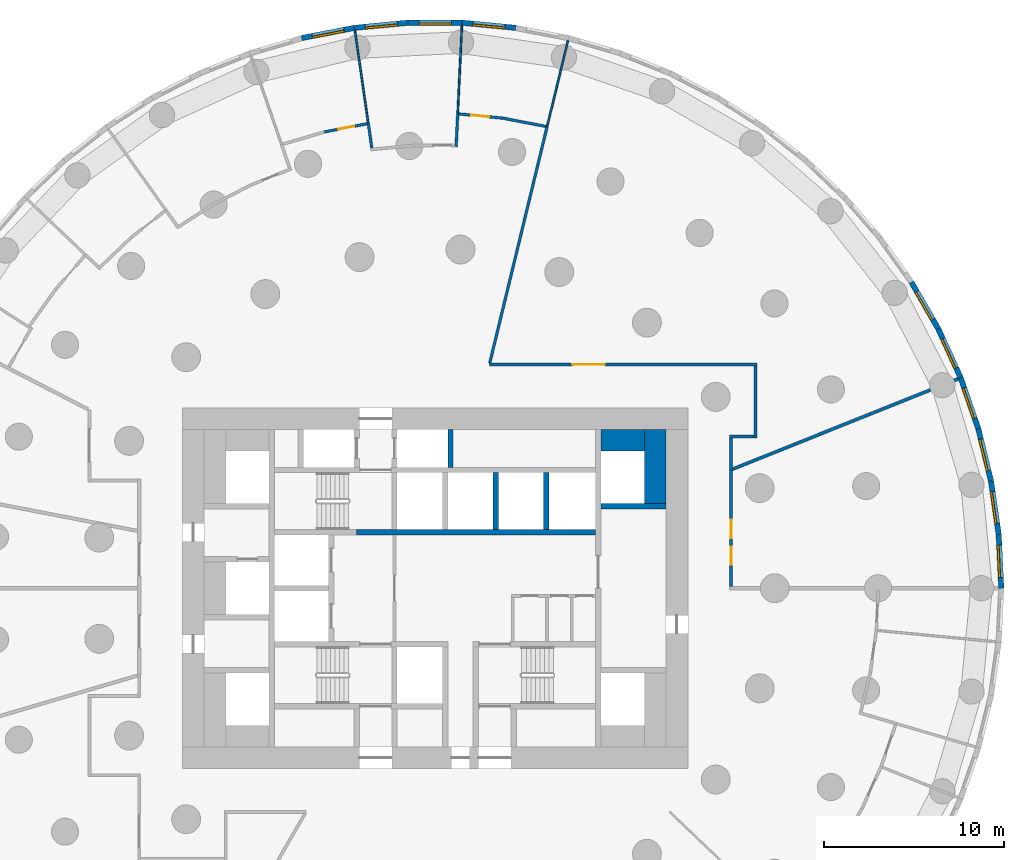
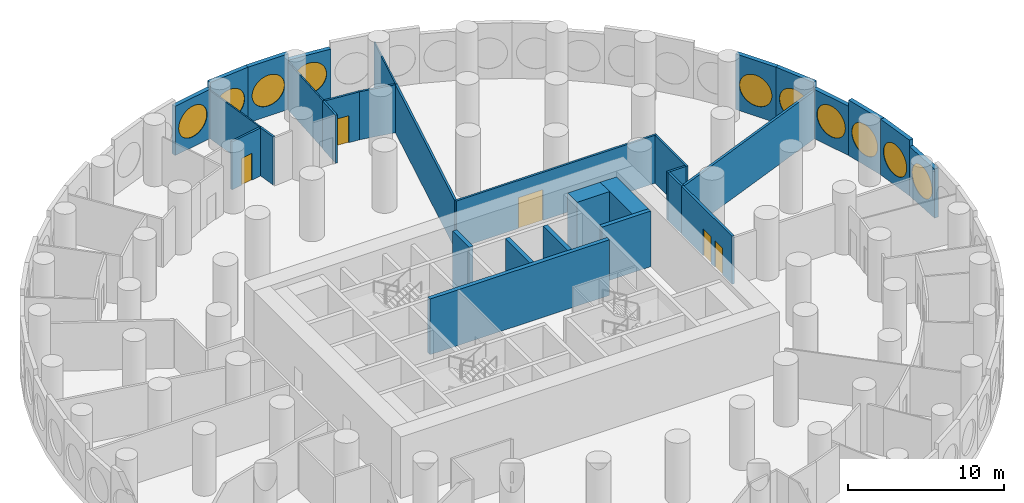
# One storey, part 8 of 11: 32 walls, 10 windows, 5 doors, 15 openings.
"""IFC4 building model written with IfcOpenShell, lengths in metres."""

from ifc_helpers import new_model, si_unit, direction, frame, frame_2d, origin, origin_2d, place, context, subcontext, project, spatial, rectangle, circle, extrude, material, layer, layer_set, type_object, element, fill, save


model = new_model("IFC4")

# Units and contexts
model_context = context("Model", 3, precision=1e-05, world=origin(), true_north=direction((0.0, 1.0)))
body_context = subcontext(model_context, "Body", "Model", "MODEL_VIEW")
ifc_project = project(units=[si_unit("LENGTHUNIT", "METRE"), si_unit("AREAUNIT", "SQUARE_METRE"), si_unit("VOLUMEUNIT", "CUBIC_METRE"), si_unit("PLANEANGLEUNIT", "RADIAN"), si_unit("MASSUNIT", "GRAM", prefix="KILO")], contexts=[model_context])

# Site, building, storey
site_placement = place(None, origin())
site = spatial("IfcSite", under=ifc_project, at=site_placement, CompositionType="ELEMENT")
building_placement = place(site_placement, origin())
building = spatial("IfcBuilding", under=site, at=building_placement, Name="Tracery Tower", CompositionType="ELEMENT")
storey_placement = place(building_placement, frame((0.0, 0.0, 23.39990234375)))
storey = spatial("IfcBuildingStorey", under=building, at=storey_placement, Name="L04", CompositionType="ELEMENT", Elevation=23.39990234375)

# Wall, openings, doors
ifc_material_1 = material(Name="Plasterboard on steel studs", Category="steel")
ifc_layer_1 = layer(ifc_material_1, 0.175048828125)
ifc_layer_set_1 = layer_set([ifc_layer_1], Name="Compartment partition 175")
wall_type_1 = type_object("IfcWallType", Name="Compartment partition 175", PredefinedType="PARTITIONING", material=ifc_layer_set_1)
wall_1_placement = place(storey_placement, frame((16.39990234375, 6.565673828125, 0.0), z_axis=(0.0, 0.0, 1.0), x_axis=(0.0, -1.0, 0.0)))
wall_1 = element("IfcWall", 1, at=wall_1_placement, inside=storey, type_object=wall_type_1, Name="Compartment partition 175", PredefinedType="PARTITIONING", context=body_context, shape_type="SweptSolid", body=[
    extrude(rectangle(XDim=6.478271484375, YDim=0.175048828125, at=frame_2d((3.2392578125, 0.0))), origin(), (0.0, 0.0, 1.0), 3.75),
])
opening_1_placement = place(wall_1_placement, frame((4.276611328125, 0.0, 0.0)))
opening_1 = element("IfcOpeningElement", 2, at=opening_1_placement, cuts=wall_1, Name="Opening SB-L04-01", PredefinedType="OPENING", context=body_context, shape_type="SweptSolid", body=[
    extrude(rectangle(XDim=1.0, YDim=2.10009765625, at=frame_2d((0.5, 1.050048828125))), frame((0.0, 0.08740234375, 0.0), z_axis=(0.0, -1.0, 0.0), x_axis=(1.0, 0.0, 0.0)), (0.0, 0.0, 1.0), 0.175048828125),
])
opening_2_placement = place(wall_1_placement, frame((2.78271484375, 0.0, 0.0)))
opening_2 = element("IfcOpeningElement", 3, at=opening_2_placement, cuts=wall_1, Name="Opening SB-L04-02", PredefinedType="OPENING", context=body_context, shape_type="SweptSolid", body=[
    extrude(rectangle(XDim=1.0, YDim=2.10009765625, at=frame_2d((0.5, 1.050048828125))), frame((0.0, 0.08740234375, 0.0), z_axis=(0.0, -1.0, 0.0), x_axis=(1.0, 0.0, 0.0)), (0.0, 0.0, 1.0), 0.175048828125),
])
ifc_material_2 = material(Name="Timber door leaf", Category="wood")
door_type_1 = type_object("IfcDoorType", Name="Public room door 1000", OperationType="NOTDEFINED", PredefinedType="DOOR", material=ifc_material_2)
door_1_placement = place(opening_1_placement, origin())
door_1 = element("IfcDoor", 4, at=door_1_placement, inside=storey, type_object=door_type_1, Name="Public room door 1000", OperationType="SINGLE_SWING_RIGHT", OverallHeight=2.10009765625, OverallWidth=1.0, PredefinedType="DOOR", context=body_context, shape_type="SweptSolid", body=[
    extrude(rectangle(XDim=1.0, YDim=2.10009765625, at=frame_2d((0.5, 1.050048828125))), frame((0.0, 0.02490234375, 0.0), z_axis=(0.0, -1.0, 0.0), x_axis=(1.0, 0.0, 0.0)), (0.0, 0.0, 1.0), 0.050048828125),
])
fill(opening_1, door_1)
door_2_placement = place(opening_2_placement, origin())
door_2 = element("IfcDoor", 5, at=door_2_placement, inside=storey, type_object=door_type_1, Name="Public room door 1000", OperationType="SINGLE_SWING_RIGHT", OverallHeight=2.10009765625, OverallWidth=1.0, PredefinedType="DOOR", context=body_context, shape_type="SweptSolid", body=[
    extrude(rectangle(XDim=1.0, YDim=2.10009765625, at=frame_2d((0.5, 1.050048828125))), frame((0.0, 0.02490234375, 0.0), z_axis=(0.0, -1.0, 0.0), x_axis=(1.0, 0.0, 0.0)), (0.0, 0.0, 1.0), 0.050048828125),
])
fill(opening_2, door_2)

# Walls
wall_2_placement = place(storey_placement, frame((28.987548828125, 11.60498046875, 0.0), z_axis=(0.0, 0.0, 1.0), x_axis=(-0.928364104115, -0.371672019651, 0.0)))
element("IfcWall", 6, at=wall_2_placement, inside=storey, type_object=wall_type_1, Name="Compartment partition 175", PredefinedType="PARTITIONING", context=body_context, shape_type="SweptSolid", body=[
    extrude(rectangle(XDim=13.464599609375, YDim=0.175048828125, at=frame_2d((6.732421875, 0.0))), origin(), (0.0, 0.0, 1.0), 3.75),
])
ifc_material_3 = material(Name="Concrete C60/75", Category="concrete")
ifc_layer_2 = layer(ifc_material_3, 1.199951171875)
ifc_layer_set_2 = layer_set([ifc_layer_2], Name="Core strip wall 1200 C60")
wall_type_2 = type_object("IfcWallType", Name="Core strip wall 1200 C60", PredefinedType="SOLIDWALL", material=ifc_layer_set_2)
wall_3_placement = place(storey_placement, frame((12.199951171875, 4.699951171875, 0.0), z_axis=(0.0, 0.0, 1.0), x_axis=(0.0, 1.0, 0.0)))
element("IfcWall", 7, at=wall_3_placement, inside=storey, type_object=wall_type_2, Name="L04 wing strip +1 4.55", PredefinedType="SOLIDWALL", context=body_context, shape_type="SweptSolid", body=[
    extrude(rectangle(XDim=4.10009765625, YDim=1.199951171875, at=frame_2d((2.050048828125, 0.0))), origin(), (0.0, 0.0, 1.0), 4.35009765625),
])
wall_4_placement = place(storey_placement, frame((9.199951171875, 8.199951171875, 0.0), z_axis=(0.0, 0.0, 1.0), x_axis=(1.0, 0.0, 0.0)))
element("IfcWall", 8, at=wall_4_placement, inside=storey, type_object=wall_type_2, Name="L04 wing corner +1 +8.2", PredefinedType="SOLIDWALL", context=body_context, shape_type="SweptSolid", body=[
    extrude(rectangle(XDim=2.400146484375, YDim=1.199951171875, at=frame_2d((1.2001953125, 0.0))), origin(), (0.0, 0.0, 1.0), 4.35009765625),
])

# Wall, opening, door
ifc_material_4 = material(Name="Plasterboard on steel studs", Category="steel")
ifc_layer_3 = layer(ifc_material_4, 0.14990234375)
ifc_layer_set_3 = layer_set([ifc_layer_3], Name="Corridor partition 150")
wall_type_3 = type_object("IfcWallType", Name="Corridor partition 150", PredefinedType="PARTITIONING", material=ifc_layer_set_3)
wall_5_placement = place(storey_placement, frame((-6.134033203125, 25.284912109375, 0.0), z_axis=(0.0, 0.0, 1.0), x_axis=(0.981929480724, 0.189247179332, 0.0)))
wall_5 = element("IfcWall", 9, at=wall_5_placement, inside=storey, type_object=wall_type_3, Name="Corridor partition 150", PredefinedType="PARTITIONING", context=body_context, shape_type="SweptSolid", body=[
    extrude(rectangle(XDim=2.40087890625, YDim=0.14990234375, at=frame_2d((1.200439453125, 0.0))), origin(), (0.0, 0.0, 1.0), 3.75),
])
opening_3_placement = place(wall_5_placement, frame((0.7880859375, 0.0, 0.0)))
opening_3 = element("IfcOpeningElement", 10, at=opening_3_placement, cuts=wall_5, Name="Opening SB-L04-06", PredefinedType="OPENING", context=body_context, shape_type="SweptSolid", body=[
    extrude(rectangle(XDim=0.89990234375, YDim=2.10009765625, at=frame_2d((0.449951171875, 1.050048828125))), frame((0.0, 0.074951171875, 0.0), z_axis=(0.0, -1.0, 0.0), x_axis=(1.0, 0.0, 0.0)), (0.0, 0.0, 1.0), 0.14990234375),
])
ifc_material_5 = material(Name="Steel fire door", Category="steel")
door_type_2 = type_object("IfcDoorType", Name="Store door 900", OperationType="NOTDEFINED", PredefinedType="DOOR", material=ifc_material_5)
door_3_placement = place(opening_3_placement, origin())
door_3 = element("IfcDoor", 11, at=door_3_placement, inside=storey, type_object=door_type_2, Name="Store door 900", OperationType="SINGLE_SWING_RIGHT", OverallHeight=2.10009765625, OverallWidth=0.89990234375, PredefinedType="DOOR", context=body_context, shape_type="SweptSolid", body=[
    extrude(rectangle(XDim=0.89990234375, YDim=2.10009765625, at=frame_2d((0.449951171875, 1.050048828125))), frame((0.0, 0.02490234375, 0.0), z_axis=(0.0, -1.0, 0.0), x_axis=(1.0, 0.0, 0.0)), (0.0, 0.0, 1.0), 0.050048828125),
])
fill(opening_3, door_3)

# Walls
wall_6_placement = place(storey_placement, frame((-3.702880859375, 25.75341796875, 0.0), z_axis=(0.0, 0.0, 1.0), x_axis=(0.142414461885, -0.989807113051, 0.0)))
element("IfcWall", 12, at=wall_6_placement, inside=storey, type_object=wall_type_3, Name="Corridor partition 150", PredefinedType="PARTITIONING", context=body_context, shape_type="SweptSolid", body=[
    extrude(rectangle(XDim=1.37646484375, YDim=0.14990234375, at=frame_2d((0.688232421875, 0.0))), origin(), (0.0, 0.0, 1.0), 3.75),
])
wall_7_placement = place(storey_placement, frame((1.252197265625, 26.288818359375, 0.0), z_axis=(0.0, 0.0, 1.0), x_axis=(-0.047577848771, -0.998867532912, 0.0)))
element("IfcWall", 13, at=wall_7_placement, inside=storey, type_object=wall_type_3, Name="Corridor partition 150", PredefinedType="PARTITIONING", context=body_context, shape_type="SweptSolid", body=[
    extrude(rectangle(XDim=1.82666015625, YDim=0.14990234375, at=frame_2d((0.913330078125, 0.0))), origin(), (0.0, 0.0, 1.0), 3.75),
])

# Wall, opening, door
wall_8_placement = place(storey_placement, frame((1.326904296875, 26.28173828125, 0.0), z_axis=(0.0, 0.0, 1.0), x_axis=(0.995471958699, -0.095055664977, 0.0)))
wall_8 = element("IfcWall", 14, at=wall_8_placement, inside=storey, type_object=wall_type_3, Name="Corridor partition 150", PredefinedType="PARTITIONING", context=body_context, shape_type="SweptSolid", body=[
    extrude(rectangle(XDim=2.4296875, YDim=0.14990234375, at=frame_2d((1.21484375, 0.0))), origin(), (0.0, 0.0, 1.0), 3.75),
])
opening_4_placement = place(wall_8_placement, frame((0.67724609375, 0.0, 0.0)))
opening_4 = element("IfcOpeningElement", 15, at=opening_4_placement, cuts=wall_8, Name="Opening SB-L04-04", PredefinedType="OPENING", context=body_context, shape_type="SweptSolid", body=[
    extrude(rectangle(XDim=1.0, YDim=2.10009765625, at=frame_2d((0.5, 1.050048828125))), frame((0.0, 0.074951171875, 0.0), z_axis=(0.0, -1.0, 0.0), x_axis=(1.0, 0.0, 0.0)), (0.0, 0.0, 1.0), 0.14990234375),
])
door_4_placement = place(opening_4_placement, origin())
door_4 = element("IfcDoor", 16, at=door_4_placement, inside=storey, type_object=door_type_1, Name="Public room door 1000", OperationType="SINGLE_SWING_RIGHT", OverallHeight=2.10009765625, OverallWidth=1.0, PredefinedType="DOOR", context=body_context, shape_type="SweptSolid", body=[
    extrude(rectangle(XDim=1.0, YDim=2.10009765625, at=frame_2d((0.5, 1.050048828125))), frame((0.0, 0.02490234375, 0.0), z_axis=(0.0, -1.0, 0.0), x_axis=(1.0, 0.0, 0.0)), (0.0, 0.0, 1.0), 0.050048828125),
])
fill(opening_4, door_4)

# Walls
wall_9_placement = place(storey_placement, frame((6.204833984375, 25.576904296875, 0.0), z_axis=(0.0, 0.0, 1.0), x_axis=(-0.235759138487, -0.971811519082, 0.0)))
element("IfcWall", 17, at=wall_9_placement, inside=storey, type_object=wall_type_3, Name="Corridor partition 150", PredefinedType="PARTITIONING", context=body_context, shape_type="SweptSolid", body=[
    extrude(rectangle(XDim=13.48193359375, YDim=0.14990234375, at=frame_2d((6.740966796875, 0.0))), origin(), (0.0, 0.0, 1.0), 3.75),
])
wall_10_placement = place(storey_placement, frame((6.131103515625, 25.591064453125, 0.0), z_axis=(0.0, 0.0, 1.0), x_axis=(-0.981932542108, 0.189231294319, 0.0)))
element("IfcWall", 18, at=wall_10_placement, inside=storey, type_object=wall_type_3, Name="Corridor partition 150", PredefinedType="PARTITIONING", context=body_context, shape_type="SweptSolid", body=[
    extrude(rectangle(XDim=2.429443359375, YDim=0.14990234375, at=frame_2d((1.21484375, 0.0))), origin(), (0.0, 0.0, 1.0), 3.75),
])
wall_11_placement = place(storey_placement, frame((16.39990234375, 6.565673828125, 0.0), z_axis=(0.0, 0.0, 1.0), x_axis=(0.0, 1.0, 0.0)))
element("IfcWall", 19, at=wall_11_placement, inside=storey, type_object=wall_type_3, Name="Corridor partition 150", PredefinedType="PARTITIONING", context=body_context, shape_type="SweptSolid", body=[
    extrude(rectangle(XDim=1.76220703125, YDim=0.14990234375, at=frame_2d((0.881103515625, 0.0))), origin(), (0.0, 0.0, 1.0), 3.75),
])
wall_12_placement = place(storey_placement, frame((16.324951171875, 8.40283203125, 0.0), z_axis=(0.0, 0.0, 1.0), x_axis=(1.0, 0.0, 0.0)))
element("IfcWall", 20, at=wall_12_placement, inside=storey, type_object=wall_type_3, Name="Corridor partition 150", PredefinedType="PARTITIONING", context=body_context, shape_type="SweptSolid", body=[
    extrude(rectangle(XDim=1.3515625, YDim=0.14990234375, at=frame_2d((0.67578125, 0.0))), origin(), (0.0, 0.0, 1.0), 3.75),
])
wall_13_placement = place(storey_placement, frame((17.751708984375, 8.327880859375, 0.0), z_axis=(0.0, 0.0, 1.0), x_axis=(0.0, 1.0, 0.0)))
element("IfcWall", 21, at=wall_13_placement, inside=storey, type_object=wall_type_3, Name="Corridor partition 150", PredefinedType="PARTITIONING", context=body_context, shape_type="SweptSolid", body=[
    extrude(rectangle(XDim=3.9970703125, YDim=0.14990234375, at=frame_2d((1.99853515625, 0.0))), origin(), (0.0, 0.0, 1.0), 3.75),
])

# Wall, opening, door
wall_14_placement = place(storey_placement, frame((3.00830078125, 12.39990234375, 0.0), z_axis=(0.0, 0.0, 1.0), x_axis=(1.0, 0.0, 0.0)))
wall_14 = element("IfcWall", 22, at=wall_14_placement, inside=storey, type_object=wall_type_3, Name="Corridor partition 150", PredefinedType="PARTITIONING", context=body_context, shape_type="SweptSolid", body=[
    extrude(rectangle(XDim=14.818359375, YDim=0.14990234375, at=frame_2d((7.4091796875, 0.0))), origin(), (0.0, 0.0, 1.0), 3.75),
])
opening_5_placement = place(wall_14_placement, frame((4.595947265625, 0.0, 0.0)))
opening_5 = element("IfcOpeningElement", 23, at=opening_5_placement, cuts=wall_14, Name="Opening SB-L04-03", PredefinedType="OPENING", context=body_context, shape_type="SweptSolid", body=[
    extrude(rectangle(XDim=1.800048828125, YDim=2.39990234375, at=frame_2d((0.89990234375, 1.199951171875))), frame((0.0, 0.074951171875, 0.0), z_axis=(0.0, -1.0, 0.0), x_axis=(1.0, 0.0, 0.0)), (0.0, 0.0, 1.0), 0.14990234375),
])
ifc_material_6 = material(Name="Glazed aluminium door", Category="aluminium")
door_type_3 = type_object("IfcDoorType", Name="Hall double door 1800", OperationType="DOUBLE_DOOR_SINGLE_SWING", PredefinedType="DOOR", material=ifc_material_6)
door_5_placement = place(opening_5_placement, origin())
door_5 = element("IfcDoor", 24, at=door_5_placement, inside=storey, type_object=door_type_3, Name="Hall double door 1800", OperationType="DOUBLE_DOOR_SINGLE_SWING", OverallHeight=2.39990234375, OverallWidth=1.800048828125, PredefinedType="DOOR", context=body_context, shape_type="SweptSolid", body=[
    extrude(rectangle(XDim=1.800048828125, YDim=2.39990234375, at=frame_2d((0.89990234375, 1.199951171875))), frame((0.0, 0.02490234375, 0.0), z_axis=(0.0, -1.0, 0.0), x_axis=(1.0, 0.0, 0.0)), (0.0, 0.0, 1.0), 0.050048828125),
])
fill(opening_5, door_5)

# Wall, opening, window
ifc_material_7 = material(Name="Precast concrete C50/60", Category="concrete")
ifc_layer_4 = layer(ifc_material_7, 0.300048828125)
ifc_layer_set_4 = layer_set([ifc_layer_4], Name="Facade panel 3000 x 3850")
wall_type_4 = type_object("IfcWallType", Name="Facade panel 3000 x 3850", PredefinedType="SOLIDWALL", material=ifc_layer_set_4)
wall_15_placement = place(storey_placement, frame((31.37451171875, 0.0, 0.0), z_axis=(0.0, 0.0, 1.0), x_axis=(-0.047588458579, 0.998867027492, 0.0)))
wall_15 = element("IfcWall", 25, at=wall_15_placement, inside=storey, type_object=wall_type_4, Name="Facade panel 1 at L04", PredefinedType="SOLIDWALL", context=body_context, shape_type="SweptSolid", body=[
    extrude(rectangle(XDim=2.98583984375, YDim=0.300048828125, at=frame_2d((1.492919921875, 0.0))), origin(), (0.0, 0.0, 1.0), 3.85009765625),
])
opening_6_placement = place(wall_15_placement, frame((1.492919921875, 0.0, 2.0)))
opening_6 = element("IfcOpeningElement", 26, at=opening_6_placement, cuts=wall_15, Name="Opening WN2", PredefinedType="OPENING", context=body_context, shape_type="SweptSolid", body=[
    extrude(circle(Radius=1.199951171875, at=origin_2d()), frame((0.0, 0.159912109375, 0.0), z_axis=(0.0, -1.0, 0.0), x_axis=(1.0, 0.0, 0.0)), (0.0, 0.0, 1.0), 0.320068359375),
])
ifc_material_8 = material(Name="Aluminium frame with tinted double glazing", Category="aluminium")
window_type = type_object("IfcWindowType", Name="Round window 2400", PartitioningType="SINGLE_PANEL", PredefinedType="WINDOW", material=ifc_material_8)
window_1_placement = place(opening_6_placement, origin())
window_1 = element("IfcWindow", 27, at=window_1_placement, inside=storey, type_object=window_type, Name="Round window 1 at L04", OverallHeight=2.39990234375, OverallWidth=2.39990234375, PartitioningType="SINGLE_PANEL", PredefinedType="WINDOW", context=body_context, shape_type="SweptSolid", body=[
    extrude(circle(Radius=1.199951171875, at=origin_2d()), frame((0.0, 0.1201171875, 0.0), z_axis=(0.0, -1.0, 0.0), x_axis=(1.0, 0.0, 0.0)), (0.0, 0.0, 1.0), 0.10009765625),
])
fill(opening_6, window_1)

wall_16_placement = place(storey_placement, frame((30.103515625, 8.839111328125, 0.0), z_axis=(0.0, 0.0, 1.0), x_axis=(-0.327074054052, 0.944998710669, 0.0)))
wall_16 = element("IfcWall", 28, at=wall_16_placement, inside=storey, type_object=wall_type_4, Name="Facade panel 4 at L04", PredefinedType="SOLIDWALL", context=body_context, shape_type="SweptSolid", body=[
    extrude(rectangle(XDim=2.98583984375, YDim=0.300048828125, at=frame_2d((1.492919921875, 0.0))), origin(), (0.0, 0.0, 1.0), 3.85009765625),
])
opening_7_placement = place(wall_16_placement, frame((1.492919921875, 0.0, 2.0)))
opening_7 = element("IfcOpeningElement", 29, at=opening_7_placement, cuts=wall_16, Name="Opening WN2", PredefinedType="OPENING", context=body_context, shape_type="SweptSolid", body=[
    extrude(circle(Radius=1.199951171875, at=origin_2d()), frame((0.0, 0.159912109375, 0.0), z_axis=(0.0, -1.0, 0.0), x_axis=(1.0, 0.0, 0.0)), (0.0, 0.0, 1.0), 0.320068359375),
])
window_2_placement = place(opening_7_placement, origin())
window_2 = element("IfcWindow", 30, at=window_2_placement, inside=storey, type_object=window_type, Name="Round window 4 at L04", OverallHeight=2.39990234375, OverallWidth=2.39990234375, PartitioningType="SINGLE_PANEL", PredefinedType="WINDOW", context=body_context, shape_type="SweptSolid", body=[
    extrude(circle(Radius=1.199951171875, at=origin_2d()), frame((0.0, 0.1201171875, 0.0), z_axis=(0.0, -1.0, 0.0), x_axis=(1.0, 0.0, 0.0)), (0.0, 0.0, 1.0), 0.10009765625),
])
fill(opening_7, window_2)

wall_17_placement = place(storey_placement, frame((4.465087890625, 31.05517578125, 0.0), z_axis=(0.0, 0.0, 1.0), x_axis=(-0.99547560533, 0.095017467833, 0.0)))
wall_17 = element("IfcWall", 31, at=wall_17_placement, inside=storey, type_object=wall_type_4, Name="Facade panel 16 at L04", PredefinedType="SOLIDWALL", context=body_context, shape_type="SweptSolid", body=[
    extrude(rectangle(XDim=2.985595703125, YDim=0.300048828125, at=frame_2d((1.49267578125, 0.0))), origin(), (0.0, 0.0, 1.0), 3.85009765625),
])
opening_8_placement = place(wall_17_placement, frame((1.492919921875, 0.0, 2.0)))
opening_8 = element("IfcOpeningElement", 32, at=opening_8_placement, cuts=wall_17, Name="Opening WN2", PredefinedType="OPENING", context=body_context, shape_type="SweptSolid", body=[
    extrude(circle(Radius=1.199951171875, at=origin_2d()), frame((0.0, 0.159912109375, 0.0), z_axis=(0.0, -1.0, 0.0), x_axis=(1.0, 0.0, 0.0)), (0.0, 0.0, 1.0), 0.320068359375),
])
window_3_placement = place(opening_8_placement, origin())
window_3 = element("IfcWindow", 33, at=window_3_placement, inside=storey, type_object=window_type, Name="Round window 16 at L04", OverallHeight=2.39990234375, OverallWidth=2.39990234375, PartitioningType="SINGLE_PANEL", PredefinedType="WINDOW", context=body_context, shape_type="SweptSolid", body=[
    extrude(circle(Radius=1.199951171875, at=origin_2d()), frame((0.0, 0.1201171875, 0.0), z_axis=(0.0, -1.0, 0.0), x_axis=(1.0, 0.0, 0.0)), (0.0, 0.0, 1.0), 0.10009765625),
])
fill(opening_8, window_3)

wall_18_placement = place(storey_placement, frame((-4.465087890625, 31.05517578125, 0.0), z_axis=(0.0, 0.0, 1.0), x_axis=(-0.981918853666, -0.189302310646, 0.0)))
wall_18 = element("IfcWall", 34, at=wall_18_placement, inside=storey, type_object=wall_type_4, Name="Facade panel 19 at L04", PredefinedType="SOLIDWALL", context=body_context, shape_type="SweptSolid", body=[
    extrude(rectangle(XDim=2.985595703125, YDim=0.300048828125, at=frame_2d((1.49267578125, 0.0))), origin(), (0.0, 0.0, 1.0), 3.85009765625),
])
opening_9_placement = place(wall_18_placement, frame((1.492919921875, 0.0, 2.0)))
opening_9 = element("IfcOpeningElement", 35, at=opening_9_placement, cuts=wall_18, Name="Opening WN2", PredefinedType="OPENING", context=body_context, shape_type="SweptSolid", body=[
    extrude(circle(Radius=1.199951171875, at=origin_2d()), frame((0.0, 0.159912109375, 0.0), z_axis=(0.0, -1.0, 0.0), x_axis=(1.0, 0.0, 0.0)), (0.0, 0.0, 1.0), 0.320068359375),
])
window_4_placement = place(opening_9_placement, origin())
window_4 = element("IfcWindow", 36, at=window_4_placement, inside=storey, type_object=window_type, Name="Round window 19 at L04", OverallHeight=2.39990234375, OverallWidth=2.39990234375, PartitioningType="SINGLE_PANEL", PredefinedType="WINDOW", context=body_context, shape_type="SweptSolid", body=[
    extrude(circle(Radius=1.199951171875, at=origin_2d()), frame((0.0, 0.1201171875, 0.0), z_axis=(0.0, -1.0, 0.0), x_axis=(1.0, 0.0, 0.0)), (0.0, 0.0, 1.0), 0.10009765625),
])
fill(opening_9, window_4)

ifc_material_9 = material(Name="Precast concrete C50/60", Category="concrete")
ifc_layer_5 = layer(ifc_material_9, 0.300048828125)
ifc_layer_set_5 = layer_set([ifc_layer_5], Name="Facade panel 3000 x 4350")
wall_type_5 = type_object("IfcWallType", Name="Facade panel 3000 x 4350", PredefinedType="SOLIDWALL", material=ifc_layer_set_5)
wall_19_placement = place(storey_placement, frame((31.232421875, 2.982421875, 0.0), z_axis=(0.0, 0.0, 1.0), x_axis=(-0.142360001917, 0.989814947278, 0.0)))
wall_19 = element("IfcWall", 37, at=wall_19_placement, inside=storey, type_object=wall_type_5, Name="Facade panel 2 at L04", PredefinedType="SOLIDWALL", context=body_context, shape_type="SweptSolid", body=[
    extrude(rectangle(XDim=2.98583984375, YDim=0.300048828125, at=frame_2d((1.492919921875, 0.0))), origin(), (0.0, 0.0, 1.0), 4.35009765625),
])
opening_10_placement = place(wall_19_placement, frame((1.492919921875, 0.0, 2.0)))
opening_10 = element("IfcOpeningElement", 38, at=opening_10_placement, cuts=wall_19, Name="Opening WN2", PredefinedType="OPENING", context=body_context, shape_type="SweptSolid", body=[
    extrude(circle(Radius=1.199951171875, at=origin_2d()), frame((0.0, 0.159912109375, 0.0), z_axis=(0.0, -1.0, 0.0), x_axis=(1.0, 0.0, 0.0)), (0.0, 0.0, 1.0), 0.320068359375),
])
window_5_placement = place(opening_10_placement, origin())
window_5 = element("IfcWindow", 39, at=window_5_placement, inside=storey, type_object=window_type, Name="Round window 2 at L04", OverallHeight=2.39990234375, OverallWidth=2.39990234375, PartitioningType="SINGLE_PANEL", PredefinedType="WINDOW", context=body_context, shape_type="SweptSolid", body=[
    extrude(circle(Radius=1.199951171875, at=origin_2d()), frame((0.0, 0.1201171875, 0.0), z_axis=(0.0, -1.0, 0.0), x_axis=(1.0, 0.0, 0.0)), (0.0, 0.0, 1.0), 0.10009765625),
])
fill(opening_10, window_5)

wall_20_placement = place(storey_placement, frame((30.807373046875, 5.937744140625, 0.0), z_axis=(0.0, 0.0, 1.0), x_axis=(-0.235756834479, 0.971812078026, 0.0)))
wall_20 = element("IfcWall", 40, at=wall_20_placement, inside=storey, type_object=wall_type_5, Name="Facade panel 3 at L04", PredefinedType="SOLIDWALL", context=body_context, shape_type="SweptSolid", body=[
    extrude(rectangle(XDim=2.985595703125, YDim=0.300048828125, at=frame_2d((1.49267578125, 0.0))), origin(), (0.0, 0.0, 1.0), 4.35009765625),
])
opening_11_placement = place(wall_20_placement, frame((1.492919921875, 0.0, 2.0)))
opening_11 = element("IfcOpeningElement", 41, at=opening_11_placement, cuts=wall_20, Name="Opening WN2", PredefinedType="OPENING", context=body_context, shape_type="SweptSolid", body=[
    extrude(circle(Radius=1.199951171875, at=origin_2d()), frame((0.0, 0.159912109375, 0.0), z_axis=(0.0, -1.0, 0.0), x_axis=(1.0, 0.0, 0.0)), (0.0, 0.0, 1.0), 0.320068359375),
])
window_6_placement = place(opening_11_placement, origin())
window_6 = element("IfcWindow", 42, at=window_6_placement, inside=storey, type_object=window_type, Name="Round window 3 at L04", OverallHeight=2.39990234375, OverallWidth=2.39990234375, PartitioningType="SINGLE_PANEL", PredefinedType="WINDOW", context=body_context, shape_type="SweptSolid", body=[
    extrude(circle(Radius=1.199951171875, at=origin_2d()), frame((0.0, 0.1201171875, 0.0), z_axis=(0.0, -1.0, 0.0), x_axis=(1.0, 0.0, 0.0)), (0.0, 0.0, 1.0), 0.10009765625),
])
fill(opening_11, window_6)

wall_21_placement = place(storey_placement, frame((29.126953125, 11.66064453125, 0.0), z_axis=(0.0, 0.0, 1.0), x_axis=(-0.415373250944, 0.909651066289, 0.0)))
wall_21 = element("IfcWall", 43, at=wall_21_placement, inside=storey, type_object=wall_type_5, Name="Facade panel 5 at L04", PredefinedType="SOLIDWALL", context=body_context, shape_type="SweptSolid", body=[
    extrude(rectangle(XDim=2.98583984375, YDim=0.300048828125, at=frame_2d((1.492919921875, 0.0))), origin(), (0.0, 0.0, 1.0), 4.35009765625),
])
opening_12_placement = place(wall_21_placement, frame((1.492919921875, 0.0, 2.0)))
opening_12 = element("IfcOpeningElement", 44, at=opening_12_placement, cuts=wall_21, Name="Opening WN2", PredefinedType="OPENING", context=body_context, shape_type="SweptSolid", body=[
    extrude(circle(Radius=1.199951171875, at=origin_2d()), frame((0.0, 0.159912109375, 0.0), z_axis=(0.0, -1.0, 0.0), x_axis=(1.0, 0.0, 0.0)), (0.0, 0.0, 1.0), 0.320068359375),
])
window_7_placement = place(opening_12_placement, origin())
window_7 = element("IfcWindow", 45, at=window_7_placement, inside=storey, type_object=window_type, Name="Round window 5 at L04", OverallHeight=2.39990234375, OverallWidth=2.39990234375, PartitioningType="SINGLE_PANEL", PredefinedType="WINDOW", context=body_context, shape_type="SweptSolid", body=[
    extrude(circle(Radius=1.199951171875, at=origin_2d()), frame((0.0, 0.1201171875, 0.0), z_axis=(0.0, -1.0, 0.0), x_axis=(1.0, 0.0, 0.0)), (0.0, 0.0, 1.0), 0.10009765625),
])
fill(opening_12, window_7)

wall_22_placement = place(storey_placement, frame((27.88671875, 14.376708984375, 0.0), z_axis=(0.0, 0.0, 1.0), x_axis=(-0.500017373705, 0.866015372839, 0.0)))
wall_22 = element("IfcWall", 46, at=wall_22_placement, inside=storey, type_object=wall_type_5, Name="Facade panel 6 at L04", PredefinedType="SOLIDWALL", context=body_context, shape_type="SweptSolid", body=[
    extrude(rectangle(XDim=2.98583984375, YDim=0.300048828125, at=frame_2d((1.492919921875, 0.0))), origin(), (0.0, 0.0, 1.0), 4.35009765625),
])
opening_13_placement = place(wall_22_placement, frame((1.492919921875, 0.0, 2.0)))
opening_13 = element("IfcOpeningElement", 47, at=opening_13_placement, cuts=wall_22, Name="Opening WN2", PredefinedType="OPENING", context=body_context, shape_type="SweptSolid", body=[
    extrude(circle(Radius=1.199951171875, at=origin_2d()), frame((0.0, 0.159912109375, 0.0), z_axis=(0.0, -1.0, 0.0), x_axis=(1.0, 0.0, 0.0)), (0.0, 0.0, 1.0), 0.320068359375),
])
window_8_placement = place(opening_13_placement, origin())
window_8 = element("IfcWindow", 48, at=window_8_placement, inside=storey, type_object=window_type, Name="Round window 6 at L04", OverallHeight=2.39990234375, OverallWidth=2.39990234375, PartitioningType="SINGLE_PANEL", PredefinedType="WINDOW", context=body_context, shape_type="SweptSolid", body=[
    extrude(circle(Radius=1.199951171875, at=origin_2d()), frame((0.0, 0.1201171875, 0.0), z_axis=(0.0, -1.0, 0.0), x_axis=(1.0, 0.0, 0.0)), (0.0, 0.0, 1.0), 0.10009765625),
])
fill(opening_13, window_8)

wall_23_placement = place(storey_placement, frame((1.492919921875, 31.3388671875, 0.0), z_axis=(0.0, 0.0, 1.0), x_axis=(-1.0, 0.0, 0.0)))
wall_23 = element("IfcWall", 49, at=wall_23_placement, inside=storey, type_object=wall_type_5, Name="Facade panel 17 at L04", PredefinedType="SOLIDWALL", context=body_context, shape_type="SweptSolid", body=[
    extrude(rectangle(XDim=2.98583984375, YDim=0.300048828125, at=frame_2d((1.492919921875, 0.0))), origin(), (0.0, 0.0, 1.0), 4.35009765625),
])
opening_14_placement = place(wall_23_placement, frame((1.492919921875, 0.0, 2.0)))
opening_14 = element("IfcOpeningElement", 50, at=opening_14_placement, cuts=wall_23, Name="Opening WN2", PredefinedType="OPENING", context=body_context, shape_type="SweptSolid", body=[
    extrude(circle(Radius=1.199951171875, at=origin_2d()), frame((0.0, 0.159912109375, 0.0), z_axis=(0.0, -1.0, 0.0), x_axis=(1.0, 0.0, 0.0)), (0.0, 0.0, 1.0), 0.320068359375),
])
window_9_placement = place(opening_14_placement, origin())
window_9 = element("IfcWindow", 51, at=window_9_placement, inside=storey, type_object=window_type, Name="Round window 17 at L04", OverallHeight=2.39990234375, OverallWidth=2.39990234375, PartitioningType="SINGLE_PANEL", PredefinedType="WINDOW", context=body_context, shape_type="SweptSolid", body=[
    extrude(circle(Radius=1.199951171875, at=origin_2d()), frame((0.0, 0.1201171875, 0.0), z_axis=(0.0, -1.0, 0.0), x_axis=(1.0, 0.0, 0.0)), (0.0, 0.0, 1.0), 0.10009765625),
])
fill(opening_14, window_9)

wall_24_placement = place(storey_placement, frame((-1.492919921875, 31.3388671875, 0.0), z_axis=(0.0, 0.0, 1.0), x_axis=(-0.99547560533, -0.095017467833, 0.0)))
wall_24 = element("IfcWall", 52, at=wall_24_placement, inside=storey, type_object=wall_type_5, Name="Facade panel 18 at L04", PredefinedType="SOLIDWALL", context=body_context, shape_type="SweptSolid", body=[
    extrude(rectangle(XDim=2.985595703125, YDim=0.300048828125, at=frame_2d((1.49267578125, 0.0))), origin(), (0.0, 0.0, 1.0), 4.35009765625),
])
opening_15_placement = place(wall_24_placement, frame((1.492919921875, 0.0, 2.0)))
opening_15 = element("IfcOpeningElement", 53, at=opening_15_placement, cuts=wall_24, Name="Opening WN2", PredefinedType="OPENING", context=body_context, shape_type="SweptSolid", body=[
    extrude(circle(Radius=1.199951171875, at=origin_2d()), frame((0.0, 0.159912109375, 0.0), z_axis=(0.0, -1.0, 0.0), x_axis=(1.0, 0.0, 0.0)), (0.0, 0.0, 1.0), 0.320068359375),
])
window_10_placement = place(opening_15_placement, origin())
window_10 = element("IfcWindow", 54, at=window_10_placement, inside=storey, type_object=window_type, Name="Round window 18 at L04", OverallHeight=2.39990234375, OverallWidth=2.39990234375, PartitioningType="SINGLE_PANEL", PredefinedType="WINDOW", context=body_context, shape_type="SweptSolid", body=[
    extrude(circle(Radius=1.199951171875, at=origin_2d()), frame((0.0, 0.1201171875, 0.0), z_axis=(0.0, -1.0, 0.0), x_axis=(1.0, 0.0, 0.0)), (0.0, 0.0, 1.0), 0.10009765625),
])
fill(opening_15, window_10)

# Walls
ifc_material_10 = material(Name="Concrete C60/75", Category="concrete")
ifc_layer_6 = layer(ifc_material_10, 0.300048828125)
ifc_layer_set_6 = layer_set([ifc_layer_6], Name="Shaft wall 300 C60")
wall_type_6 = type_object("IfcWallType", Name="Shaft wall 300 C60", PredefinedType="SOLIDWALL", material=ifc_layer_set_6)
for number, where, z_axis, x_axis, name in (
    (55, (3.35009765625, 3.25, 0.0), (0.0, 0.0, 1.0), (0.0, 1.0, 0.0), "L04 HR sep 2"),
    (56, (6.14990234375, 3.25, 0.0), (0.0, 0.0, 1.0), (0.0, 1.0, 0.0), "L04 HR sep 3"),
):
    element("IfcWall", number, at=place(storey_placement, frame(where, z_axis=z_axis, x_axis=x_axis)), inside=storey, type_object=wall_type_6, Name=name, PredefinedType="SOLIDWALL", context=body_context, shape_type="SweptSolid", body=[
        extrude(rectangle(XDim=3.14990234375, YDim=0.300048828125, at=frame_2d((1.574951171875, 0.0))), origin(), (0.0, 0.0, 1.0), 4.35009765625),
    ])
wall_25_placement = place(storey_placement, frame((0.85009765625, 6.699951171875, 0.0), z_axis=(0.0, 0.0, 1.0), x_axis=(0.0, 1.0, 0.0)))
element("IfcWall", 57, at=wall_25_placement, inside=storey, type_object=wall_type_6, Name="L04 LR sep 0.85", PredefinedType="SOLIDWALL", context=body_context, shape_type="SweptSolid", body=[
    extrude(rectangle(XDim=2.10009765625, YDim=0.300048828125, at=frame_2d((1.050048828125, 0.0))), origin(), (0.0, 0.0, 1.0), 4.35009765625),
])
wall_26_placement = place(storey_placement, frame((9.199951171875, 4.550048828125, 0.0), z_axis=(0.0, 0.0, 1.0), x_axis=(1.0, 0.0, 0.0)))
element("IfcWall", 58, at=wall_26_placement, inside=storey, type_object=wall_type_6, Name="L04 wing shaft wall +1 +4.55", PredefinedType="SOLIDWALL", context=body_context, shape_type="SweptSolid", body=[
    extrude(rectangle(XDim=3.60009765625, YDim=0.300048828125, at=frame_2d((1.800048828125, 0.0))), origin(), (0.0, 0.0, 1.0), 4.35009765625),
])
ifc_material_11 = material(Name="Concrete C60/75", Category="concrete")
ifc_layer_7 = layer(ifc_material_11, 0.300048828125)
ifc_layer_set_7 = layer_set([ifc_layer_7], Name="Stair wall 300 C60")
wall_type_7 = type_object("IfcWallType", Name="Stair wall 300 C60", PredefinedType="SOLIDWALL", material=ifc_layer_set_7)
wall_27_placement = place(storey_placement, frame((-4.35009765625, 3.10009765625, 0.0), z_axis=(0.0, 0.0, 1.0), x_axis=(1.0, 0.0, 0.0)))
element("IfcWall", 59, at=wall_27_placement, inside=storey, type_object=wall_type_7, Name="L04 row N", PredefinedType="SOLIDWALL", context=body_context, shape_type="SweptSolid", body=[
    extrude(rectangle(XDim=13.25, YDim=0.300048828125, at=frame_2d((6.625, 0.0))), origin(), (0.0, 0.0, 1.0), 4.35009765625),
])
ifc_material_12 = material(Name="Plasterboard on steel studs", Category="steel")
ifc_layer_8 = layer(ifc_material_12, 0.10009765625)
ifc_layer_set_8 = layer_set([ifc_layer_8], Name="Stud partition 100")
wall_type_8 = type_object("IfcWallType", Name="Stud partition 100", PredefinedType="PARTITIONING", material=ifc_layer_set_8)
wall_28_placement = place(storey_placement, frame((-4.443603515625, 30.906494140625, 0.0), z_axis=(0.0, 0.0, 1.0), x_axis=(0.142281368884, -0.989826253475, 0.0)))
element("IfcWall", 60, at=wall_28_placement, inside=storey, type_object=wall_type_8, Name="Stud partition 100", PredefinedType="PARTITIONING", context=body_context, shape_type="SweptSolid", body=[
    extrude(rectangle(XDim=5.2060546875, YDim=0.10009765625, at=frame_2d((2.60302734375, 0.0))), origin(), (0.0, 0.0, 1.0), 3.75),
])
wall_29_placement = place(storey_placement, frame((1.485595703125, 31.18896484375, 0.0), z_axis=(0.0, 0.0, 1.0), x_axis=(-0.04757697182, -0.998867574683, 0.0)))
element("IfcWall", 61, at=wall_29_placement, inside=storey, type_object=wall_type_8, Name="Stud partition 100", PredefinedType="PARTITIONING", context=body_context, shape_type="SweptSolid", body=[
    extrude(rectangle(XDim=4.90576171875, YDim=0.10009765625, at=frame_2d((2.452880859375, 0.0))), origin(), (0.0, 0.0, 1.0), 3.75),
])
wall_30_placement = place(storey_placement, frame((7.361328125, 30.343994140625, 0.0), z_axis=(0.0, 0.0, 1.0), x_axis=(-0.235760987456, -0.971811070524, 0.0)))
element("IfcWall", 62, at=wall_30_placement, inside=storey, type_object=wall_type_8, Name="Stud partition 100", PredefinedType="PARTITIONING", context=body_context, shape_type="SweptSolid", body=[
    extrude(rectangle(XDim=4.9052734375, YDim=0.10009765625, at=frame_2d((2.45263671875, 0.0))), origin(), (0.0, 0.0, 1.0), 3.75),
])

save(model, "model.ifc")
